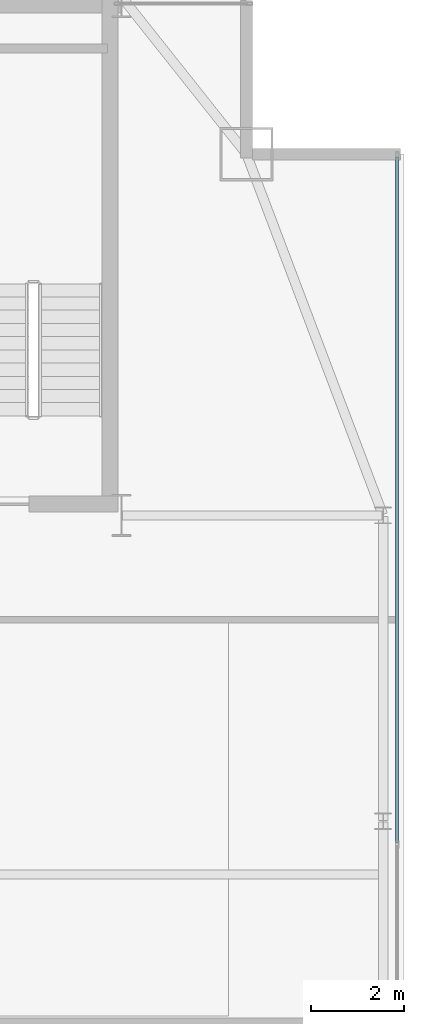
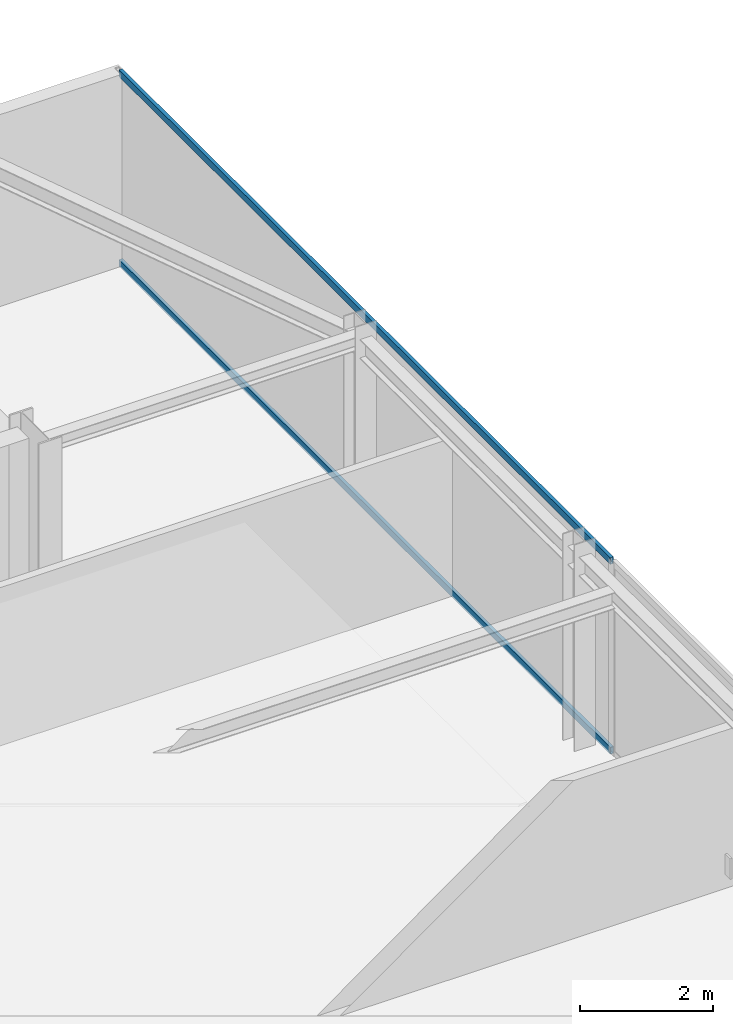
# One storey, part 20 of 30: 2 members, 1 element without a shape of its own.
"""IFC4 building model written with IfcOpenShell, lengths in metres."""

import ifcopenshell
import ifcopenshell.guid

model = None  # the IFC model being written
_history = None  # IfcOwnerHistory: only IFC2X3 demands one
_inside = {}  # id of a spatial element -> (the spatial element, [elements in it])
_under = {}  # id of a project, library or spatial element -> (it, [spatial elements below it])
_declared = {}  # id of a project -> (the project, [libraries it declares])
_typed = {}  # id of a type object -> (the type object, [elements of that type])
_made_of = {}  # id of a material, layer set ... -> (it, [elements and type objects made of it])


def new_model(schema):
    """Start an empty IFC model of exactly this schema.

    Asked for "IFC4X3", IfcOpenShell would pick the latest addendum, in which some entities
    have other attributes; the version numbers below select the first issue.
    IFC2X3 requires an IfcOwnerHistory on every rooted entity: one is made here for all.
    """
    global model, _history
    if schema == "IFC4X3":
        model = ifcopenshell.file(schema_version=(4, 3, 0, 0))
    else:
        model = ifcopenshell.file(schema=schema)
    _inside.clear()
    _under.clear()
    _declared.clear()
    _typed.clear()
    _made_of.clear()
    _history = None
    if model.schema == "IFC2X3":
        org = make("IfcOrganization", Name="unknown")
        user = make(
            "IfcPersonAndOrganization",
            ThePerson=make("IfcPerson", FamilyName="unknown"),
            TheOrganization=org,
        )
        app = make(
            "IfcApplication",
            ApplicationDeveloper=org,
            Version="unknown",
            ApplicationFullName="unknown",
            ApplicationIdentifier="unknown",
        )
        _history = make(
            "IfcOwnerHistory",
            OwningUser=user,
            OwningApplication=app,
            ChangeAction="ADDED",
            CreationDate=0,
        )
    return model


def make(cls, **values):
    """One entity of the class cls with the attributes given. An attribute that is None is left unset."""
    return model.create_entity(
        cls, **{name: value for name, value in values.items() if value is not None}
    )


def rooted(cls, **values):
    """An entity with a GlobalId (a new one), such as an element, a storey or a relation."""
    return make(cls, GlobalId=ifcopenshell.guid.new(), OwnerHistory=_history, **values)


def si_unit(unit_type, name, prefix=None):
    """IfcSIUnit, for example si_unit("LENGTHUNIT", "METRE", prefix="MILLI")."""
    return make("IfcSIUnit", UnitType=unit_type, Prefix=prefix, Name=name)


def assignment(units):
    """IfcUnitAssignment: the units of a project."""
    return None if units is None else make("IfcUnitAssignment", Units=units)


def point(xyz):
    """IfcCartesianPoint."""
    return None if xyz is None else make("IfcCartesianPoint", Coordinates=xyz)


def direction(xyz):
    """IfcDirection."""
    return None if xyz is None else make("IfcDirection", DirectionRatios=xyz)


def frame(location, z_axis=None, x_axis=None):
    """IfcAxis2Placement3D, a coordinate frame: its origin and axes. An axis left out is left unset."""
    return make(
        "IfcAxis2Placement3D",
        Location=point(location),
        Axis=direction(z_axis),
        RefDirection=direction(x_axis),
    )


def frame_2d(location, x_axis=None):
    """IfcAxis2Placement2D, a coordinate frame in the plane: its origin and x axis."""
    return make(
        "IfcAxis2Placement2D", Location=point(location), RefDirection=direction(x_axis)
    )


def origin():
    """The frame at (0, 0, 0) with its axes left unset."""
    return frame((0.0, 0.0, 0.0))


def origin_2d():
    """The frame at (0, 0) in the plane with its x axis left unset."""
    return frame_2d((0.0, 0.0))


def place(relative_to, where):
    """IfcLocalPlacement: puts the frame where relative to a parent placement (None: the world)."""
    return make(
        "IfcLocalPlacement", PlacementRelTo=relative_to, RelativePlacement=where
    )


def context(
    kind, dimensions, precision=None, world=None, true_north=None, identifier=None
):
    """IfcGeometricRepresentationContext, for example the 3D "Model" context."""
    return make(
        "IfcGeometricRepresentationContext",
        ContextIdentifier=identifier,
        ContextType=kind,
        CoordinateSpaceDimension=dimensions,
        Precision=precision,
        WorldCoordinateSystem=world,
        TrueNorth=true_north,
    )


def subcontext(parent, identifier, kind, view, scale=None):
    """IfcGeometricRepresentationSubContext, for example "Body" below "Model"."""
    return make(
        "IfcGeometricRepresentationSubContext",
        ContextIdentifier=identifier,
        ContextType=kind,
        ParentContext=parent,
        TargetScale=scale,
        TargetView=view,
    )


def project(units=None, contexts=None):
    """IfcProject with its units and contexts."""
    return rooted(
        "IfcProject",
        Name="project",
        RepresentationContexts=contexts,
        UnitsInContext=assignment(units),
    )


def spatial(cls, under=None, at=None, **own):
    """A site, building, storey or space (cls), placed at a placement, below another one or the project."""
    s = rooted(cls, ObjectPlacement=at, **own)
    if under is not None:
        _under.setdefault(under.id(), (under, []))[1].append(s)
    return s


def profile(cls, at=None, kind="AREA", **sizes):
    """A parametric profile (cls). Its sizes go by their IFC names, for example OverallWidth=200.0."""
    return make(cls, ProfileType=kind, Position=at, **sizes)


def hollow_rectangle(**sizes):
    """IfcRectangleHollowProfileDef."""
    return profile("IfcRectangleHollowProfileDef", **sizes)


def extrude(swept, where, along, depth):
    """IfcExtrudedAreaSolid: the profile swept, set in the frame where, extruded along a direction by depth."""
    return make(
        "IfcExtrudedAreaSolid",
        SweptArea=swept,
        Position=where,
        ExtrudedDirection=direction(along),
        Depth=depth,
    )


def shape(context_of_items, identifier, shape_type, items):
    """IfcShapeRepresentation: the items that make up one representation, for example the "Body"."""
    return make(
        "IfcShapeRepresentation",
        ContextOfItems=context_of_items,
        RepresentationIdentifier=identifier,
        RepresentationType=shape_type,
        Items=items,
    )


def source(mapping_origin, context_of_items, identifier, shape_type, items):
    """IfcRepresentationMap: a shape defined once, which mapped items show again and again."""
    return make(
        "IfcRepresentationMap",
        MappingOrigin=mapping_origin,
        MappedRepresentation=shape(context_of_items, identifier, shape_type, items),
    )


def transform(
    local_origin,
    x_axis=None,
    y_axis=None,
    z_axis=None,
    scale=None,
    scale2=None,
    scale3=None,
    uniform=True,
):
    """IfcCartesianTransformationOperator3D, or its non-uniform kind. x_axis, y_axis, z_axis: its Axis1, 2, 3."""
    if uniform:
        return make(
            "IfcCartesianTransformationOperator3D",
            Axis1=direction(x_axis),
            Axis2=direction(y_axis),
            LocalOrigin=point(local_origin),
            Scale=scale,
            Axis3=direction(z_axis),
        )
    return make(
        "IfcCartesianTransformationOperator3DnonUniform",
        Axis1=direction(x_axis),
        Axis2=direction(y_axis),
        LocalOrigin=point(local_origin),
        Scale=scale,
        Axis3=direction(z_axis),
        Scale2=scale2,
        Scale3=scale3,
    )


def mapped(mapping_source, mapping_target):
    """IfcMappedItem: shows the shape of a source again, moved by a transform."""
    return make(
        "IfcMappedItem", MappingSource=mapping_source, MappingTarget=mapping_target
    )


def material(Name=None, Category=None):
    """IfcMaterial."""
    return make("IfcMaterial", Name=Name, Category=Category)


def layer(
    of_material, thickness, ventilated=None, Name=None, Category=None, Priority=None
):
    """IfcMaterialLayer: one layer of a wall or slab, of a material (None: an air gap)."""
    return make(
        "IfcMaterialLayer",
        Material=of_material,
        LayerThickness=thickness,
        IsVentilated=ventilated,
        Name=Name,
        Category=Category,
        Priority=Priority,
    )


def layer_set(layers, Name=None):
    """IfcMaterialLayerSet."""
    return make("IfcMaterialLayerSet", MaterialLayers=layers, LayerSetName=Name)


def material_profile(
    of_material, cross_section, Name=None, Category=None, Priority=None
):
    """IfcMaterialProfile: a cross section and its material."""
    return make(
        "IfcMaterialProfile",
        Name=Name,
        Material=of_material,
        Profile=cross_section,
        Priority=Priority,
        Category=Category,
    )


def profile_set(profiles, Name=None, composite=None):
    """IfcMaterialProfileSet."""
    return make(
        "IfcMaterialProfileSet",
        Name=Name,
        MaterialProfiles=profiles,
        CompositeProfile=composite,
    )


def made_of(thing, what):
    """Note that an element or type object is made of a material, layer set ...; save() writes the relation."""
    if what is not None:
        _made_of.setdefault(what.id(), (what, []))[1].append(thing)
    return thing


def type_object(cls, material=None, **own):
    """A type object (cls), such as IfcWallType, which elements share."""
    return made_of(rooted(cls, **own), material)


def type_shapes(of_type, sources):
    """Give a type object the sources (RepresentationMaps) that its elements show as mapped items."""
    of_type.RepresentationMaps = sources


def element(
    cls,
    number,
    at=None,
    inside=None,
    cuts=None,
    type_object=None,
    material=None,
    context=None,
    identifier="Body",
    shape_type=None,
    held_by="IfcProductDefinitionShape",
    body=None,
    shapes=None,
    **own,
):
    """One element of the class cls, such as IfcWall. Its Tag is "e" and its number.

    at: its placement. inside: the storey or other place that contains it. cuts: it is an
    opening in that element (IfcRelVoidsElement). A single representation is given by context,
    identifier, shape_type and body (its items); several are given by shapes. held_by: the class
    of the entity that holds the representations. save() writes the other relations.
    """
    e = rooted(cls, Tag="e%d" % number, ObjectPlacement=at, **own)
    if body is not None:
        shapes = [shape(context, identifier, shape_type, body)]
    if shapes is not None:
        e.Representation = make(held_by, Representations=shapes)
    if inside is not None:
        _inside.setdefault(inside.id(), (inside, []))[1].append(e)
    if cuts is not None:
        rooted(
            "IfcRelVoidsElement", RelatingBuildingElement=cuts, RelatedOpeningElement=e
        )
    if type_object is not None:
        _typed.setdefault(type_object.id(), (type_object, []))[1].append(e)
    return made_of(e, material)


def aggregate(whole, parts):
    """IfcRelAggregates: a whole, such as a stair, and the parts it consists of."""
    return rooted("IfcRelAggregates", RelatingObject=whole, RelatedObjects=parts)


def save(model, path):
    """Write the relations noted so far, then the file.

    IfcRelAggregates (storeys below a building ...), IfcRelContainedInSpatialStructure (elements
    in a storey), IfcRelDefinesByType, IfcRelAssociatesMaterial and IfcRelDeclares: one each for
    every whole, place, type object, material and project.
    """
    for whole, parts in _under.values():
        aggregate(whole, parts)
    for where, things in _inside.values():
        rooted(
            "IfcRelContainedInSpatialStructure",
            RelatedElements=things,
            RelatingStructure=where,
        )
    for kind, things in _typed.values():
        rooted("IfcRelDefinesByType", RelatedObjects=things, RelatingType=kind)
    for what, things in _made_of.values():
        rooted("IfcRelAssociatesMaterial", RelatedObjects=things, RelatingMaterial=what)
    for by, libraries in _declared.values():
        rooted("IfcRelDeclares", RelatingContext=by, RelatedDefinitions=libraries)
    model.write(path)


model = new_model("IFC4")

# Units and contexts
model_context = context("Model", 3, precision=1e-05, world=origin(), true_north=direction((0.0, 1.0)))
body_context = subcontext(model_context, "Body", "Model", "MODEL_VIEW")
ifc_project = project(units=[si_unit("LENGTHUNIT", "METRE"), si_unit("AREAUNIT", "SQUARE_METRE"), si_unit("VOLUMEUNIT", "CUBIC_METRE"), si_unit("PLANEANGLEUNIT", "RADIAN"), si_unit("MASSUNIT", "GRAM", prefix="KILO")], contexts=[model_context])

# Site, building, storey
site_placement = place(None, origin())
site = spatial("IfcSite", under=ifc_project, at=site_placement, CompositionType="ELEMENT")
building_placement = place(site_placement, origin())
building = spatial("IfcBuilding", under=site, at=building_placement, Name="Varnel Quay Broadcast Tower", CompositionType="ELEMENT")
storey_placement = place(building_placement, frame((0.0, 0.0, 222.60009765625)))
storey = spatial("IfcBuildingStorey", under=building, at=storey_placement, Name="L55", CompositionType="ELEMENT", Elevation=222.60009765625)

# Curtain wall, members
ifc_material = material(Name="Anodised Bronze Aluminium 6063-T6", Category="aluminium")
ifc_layer = layer(ifc_material, 0.18994140625, Name="Anodised Bronze Aluminium 6063-T6")
ifc_layer_set = layer_set([ifc_layer], Name="Anodised Bronze Aluminium 6063-T6")
curtain_wall_type = type_object("IfcCurtainWallType", Name="CW_UpperTower", PredefinedType="NOTDEFINED", material=ifc_layer_set)
curtain_wall_placement = place(storey_placement, origin())
curtain_wall = element("IfcCurtainWall", 1, at=curtain_wall_placement, inside=storey, type_object=curtain_wall_type, Name="L55 East Unitised Curtain Wall", PredefinedType="NOTDEFINED")
ifc_material_profile = material_profile(ifc_material, hollow_rectangle(XDim=0.06005859375, YDim=0.125, WallThickness=0.0029296875, at=origin_2d()), Name="ALU60X125X3")
ifc_profile_set = profile_set([ifc_material_profile], Name="Anodised Bronze Aluminium 6063-T6")
member_type = type_object("IfcMemberType", Name="Tran_CWS-03", PredefinedType="USERDEFINED", material=ifc_profile_set)
shared_shape = source(origin(), body_context, "Body", "SweptSolid", [
    extrude(hollow_rectangle(XDim=0.06005859375, YDim=0.125, WallThickness=0.0029296875, at=origin_2d()), origin(), (0.0, 0.0, 1.0), 14.802490234375),
])
type_shapes(member_type, [shared_shape])
member_1_placement = place(storey_placement, frame((58.35009765625, 28.532470703125, 0.02978515625), z_axis=(0.0, 1.0, 0.0), x_axis=(-1.0, 0.0, 0.0)))
member_1 = element("IfcMember", 2, at=member_1_placement, type_object=member_type, Name="CWS-03 transom 2.1", ObjectType="TRANSOM", PredefinedType="USERDEFINED", context=body_context, shape_type="MappedRepresentation", body=[
    mapped(shared_shape, transform((0.0, 0.0, 0.0), x_axis=(1.0, 0.0, 0.0), y_axis=(0.0, 1.0, 0.0), z_axis=(0.0, 0.0, 1.0), scale=1.0)),
])
member_2_placement = place(storey_placement, frame((58.35009765625, 28.532470703125, 3.52001953125), z_axis=(0.0, 1.0, 0.0), x_axis=(-1.0, 0.0, 0.0)))
member_2 = element("IfcMember", 3, at=member_2_placement, type_object=member_type, Name="CWS-03 transom 2.2", ObjectType="TRANSOM", PredefinedType="USERDEFINED", context=body_context, shape_type="MappedRepresentation", body=[
    mapped(shared_shape, transform((0.0, 0.0, 0.0), x_axis=(1.0, 0.0, 0.0), y_axis=(0.0, 1.0, 0.0), z_axis=(0.0, 0.0, 1.0), scale=1.0)),
])
aggregate(curtain_wall, [member_1, member_2])

save(model, "model.ifc")
